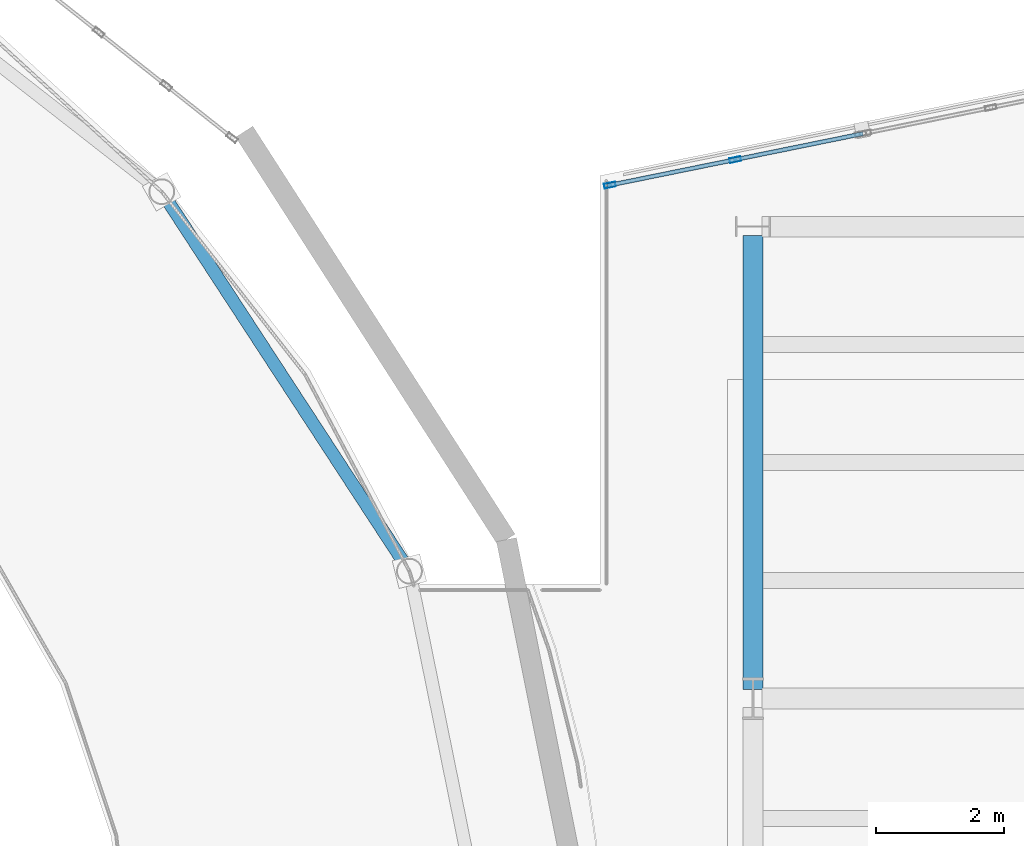
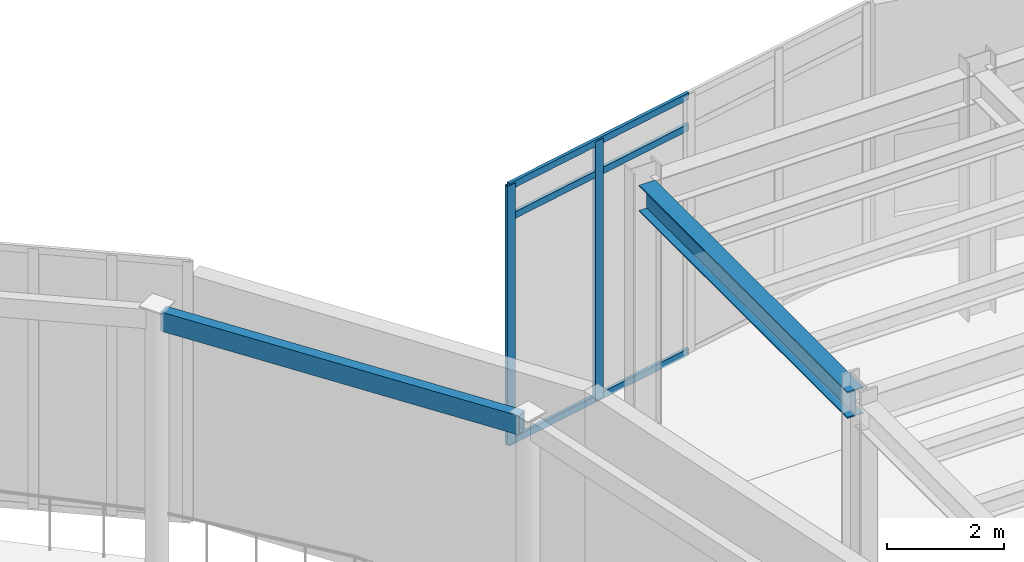
# One storey, part 48 of 98: 5 members, 2 beams, 1 element without a shape of its own.
"""IFC4 building model written with IfcOpenShell, lengths in metres."""

from ifc_helpers import new_model, si_unit, direction, frame, origin, origin_2d, place, context, subcontext, project, spatial, hollow_rectangle, i_section, extrude, material, layer, layer_set, material_profile, profile_set, type_object, element, aggregate, save


model = new_model("IFC4")

# Units and contexts
model_context = context("Model", 3, precision=1e-05, world=origin(), true_north=direction((0.0, 1.0)))
body_context = subcontext(model_context, "Body", "Model", "MODEL_VIEW")
ifc_project = project(units=[si_unit("LENGTHUNIT", "METRE"), si_unit("AREAUNIT", "SQUARE_METRE"), si_unit("VOLUMEUNIT", "CUBIC_METRE"), si_unit("PLANEANGLEUNIT", "RADIAN"), si_unit("MASSUNIT", "GRAM", prefix="KILO")], contexts=[model_context])

# Site, building, storey
site_placement = place(None, origin())
site = spatial("IfcSite", under=ifc_project, at=site_placement, CompositionType="ELEMENT")
building_placement = place(site_placement, origin())
building = spatial("IfcBuilding", under=site, at=building_placement, Name="Sollismere Congress Hotel", CompositionType="ELEMENT")
storey_placement = place(building_placement, frame((0.0, 0.0, 5.39990234375)))
storey = spatial("IfcBuildingStorey", under=building, at=storey_placement, Name="L01", CompositionType="ELEMENT", Elevation=5.39990234375)

# Beams
ifc_material_1 = material(Name="Steel ASTM A500 Grade C", Category="steel")
ifc_material_profile_1 = material_profile(ifc_material_1, hollow_rectangle(XDim=0.199951171875, YDim=0.39990234375, WallThickness=0.011962890625, at=origin_2d()), Name="HSS400X200X12")
ifc_profile_set_1 = profile_set([ifc_material_profile_1], Name="Steel ASTM A500 Grade C")
beam_type_1 = type_object("IfcBeamType", Name="BM-BX400", PredefinedType="HOLLOWCORE", material=ifc_profile_set_1)
beam_1_placement = place(storey_placement, frame((54.94580078125, 97.097900390625, 5.150146484375), z_axis=(-0.546593071312, 0.837398360635, 0.0), x_axis=(-0.837398360635, -0.546593071312, 0.0)))
element("IfcBeam", 1, at=beam_1_placement, inside=storey, type_object=beam_type_1, Name="Beam BM-L01-4187", PredefinedType="HOLLOWCORE", context=body_context, shape_type="SweptSolid", body=[
    extrude(hollow_rectangle(XDim=0.199951171875, YDim=0.39990234375, WallThickness=0.011962890625, at=origin_2d()), origin(), (0.0, 0.0, 1.0), 6.867431640625),
])
ifc_material_2 = material(Name="Steel ASTM A992 Grade 50", Category="steel")
ifc_material_profile_2 = material_profile(ifc_material_2, i_section(OverallWidth=0.31494140625, OverallDepth=0.551025390625, WebThickness=0.01513671875, FlangeThickness=0.0244140625, at=origin_2d()), Name="W21X122")
ifc_profile_set_2 = profile_set([ifc_material_profile_2], Name="Steel ASTM A992 Grade 50")
beam_type_2 = type_object("IfcBeamType", Name="BM-G21H", PredefinedType="BEAM", material=ifc_profile_set_2)
beam_2_placement = place(storey_placement, frame((60.39990234375, 95.139892578125, 4.844482421875), z_axis=(0.0, 1.0, 0.0), x_axis=(-1.0, 0.0, 0.0)))
element("IfcBeam", 2, at=beam_2_placement, inside=storey, type_object=beam_type_2, Name="Beam BM-L01-1656", PredefinedType="BEAM", context=body_context, shape_type="SweptSolid", body=[
    extrude(i_section(OverallWidth=0.31494140625, OverallDepth=0.551025390625, WebThickness=0.01513671875, FlangeThickness=0.0244140625, at=origin_2d()), origin(), (0.0, 0.0, 1.0), 7.1201171875),
])

# Curtain wall, members
ifc_material_3 = material(Name="Anodized Bronze Curtain Wall & Low-E Triple Glazing", Category="glass")
ifc_layer = layer(ifc_material_3, 0.199951171875, Name="Anodized Bronze Curtain Wall & Low-E Triple Glazing")
ifc_layer_set = layer_set([ifc_layer], Name="Anodized Bronze Curtain Wall & Low-E Triple Glazing")
curtain_wall_type = type_object("IfcCurtainWallType", Name="CW-GLZ36", PredefinedType="USERDEFINED", material=ifc_layer_set)
curtain_wall_placement = place(storey_placement, origin())
curtain_wall = element("IfcCurtainWall", 3, at=curtain_wall_placement, inside=storey, type_object=curtain_wall_type, Name="Unitised curtain wall CW-L01-081", ObjectType="UNITISED CURTAIN WALL", PredefinedType="USERDEFINED")
ifc_material_4 = material(Name="Anodized Aluminum 6063-T6", Category="aluminium")
ifc_material_profile_3 = material_profile(ifc_material_4, hollow_rectangle(XDim=0.074951171875, YDim=0.179931640625, WallThickness=0.0048828125, at=origin_2d()), Name="ALU180X75X5")
ifc_profile_set_3 = profile_set([ifc_material_profile_3], Name="Anodized Aluminum 6063-T6")
member_type_1 = type_object("IfcMemberType", Name="ML-CW180", PredefinedType="MULLION", material=ifc_profile_set_3)
member_1_placement = place(storey_placement, frame((58.15478515625, 103.051513671875, 0.0), z_axis=(0.0, 0.0, 1.0), x_axis=(-0.199367934417, 0.979924704621, 0.0)))
member_1 = element("IfcMember", 4, at=member_1_placement, type_object=member_type_1, Name="CWL-CW-L01-081-ML01", PredefinedType="MULLION", context=body_context, shape_type="SweptSolid", body=[
    extrude(hollow_rectangle(XDim=0.074951171875, YDim=0.179931640625, WallThickness=0.0048828125, at=origin_2d()), origin(), (0.0, 0.0, 1.0), 5.400146484375),
])
member_2_placement = place(storey_placement, frame((60.121337890625, 103.45166015625, 0.0), z_axis=(0.0, 0.0, 1.0), x_axis=(-0.199367934417, 0.979924704621, 0.0)))
member_2 = element("IfcMember", 5, at=member_2_placement, type_object=member_type_1, Name="CWL-CW-L01-081-ML02", PredefinedType="MULLION", context=body_context, shape_type="SweptSolid", body=[
    extrude(hollow_rectangle(XDim=0.074951171875, YDim=0.179931640625, WallThickness=0.0048828125, at=origin_2d()), origin(), (0.0, 0.0, 1.0), 5.400146484375),
])
ifc_material_profile_4 = material_profile(ifc_material_4, hollow_rectangle(XDim=0.06494140625, YDim=0.139892578125, WallThickness=0.00390625, at=origin_2d()), Name="ALU140X65X4")
ifc_profile_set_4 = profile_set([ifc_material_profile_4], Name="Anodized Aluminum 6063-T6")
member_type_2 = type_object("IfcMemberType", Name="TR-CW150", PredefinedType="MEMBER", material=ifc_profile_set_4)
member_3_placement = place(storey_placement, frame((58.11767578125, 103.0439453125, 0.03271484375), z_axis=(0.979918476409, 0.199398544609, 0.0), x_axis=(-0.199398544609, 0.979918476409, 0.0)))
member_3 = element("IfcMember", 6, at=member_3_placement, type_object=member_type_2, Name="CWL-CW-L01-081-TR1", PredefinedType="MEMBER", context=body_context, shape_type="SweptSolid", body=[
    extrude(hollow_rectangle(XDim=0.06494140625, YDim=0.139892578125, WallThickness=0.00390625, at=origin_2d()), origin(), (0.0, 0.0, 1.0), 4.08935546875),
])
member_4_placement = place(storey_placement, frame((58.11767578125, 103.0439453125, 4.72021484375), z_axis=(0.979918476409, 0.199398544609, 0.0), x_axis=(-0.199398544609, 0.979918476409, 0.0)))
member_4 = element("IfcMember", 7, at=member_4_placement, type_object=member_type_2, Name="CWL-CW-L01-081-TR2", PredefinedType="MEMBER", context=body_context, shape_type="SweptSolid", body=[
    extrude(hollow_rectangle(XDim=0.06494140625, YDim=0.139892578125, WallThickness=0.00390625, at=origin_2d()), origin(), (0.0, 0.0, 1.0), 4.08935546875),
])
member_5_placement = place(storey_placement, frame((58.11767578125, 103.0439453125, 5.36767578125), z_axis=(0.979918476409, 0.199398544609, 0.0), x_axis=(-0.199398544609, 0.979918476409, 0.0)))
member_5 = element("IfcMember", 8, at=member_5_placement, type_object=member_type_2, Name="CWL-CW-L01-081-TR3", PredefinedType="MEMBER", context=body_context, shape_type="SweptSolid", body=[
    extrude(hollow_rectangle(XDim=0.06494140625, YDim=0.139892578125, WallThickness=0.00390625, at=origin_2d()), origin(), (0.0, 0.0, 1.0), 4.08935546875),
])
aggregate(curtain_wall, [member_1, member_2, member_3, member_4, member_5])

save(model, "model.ifc")
